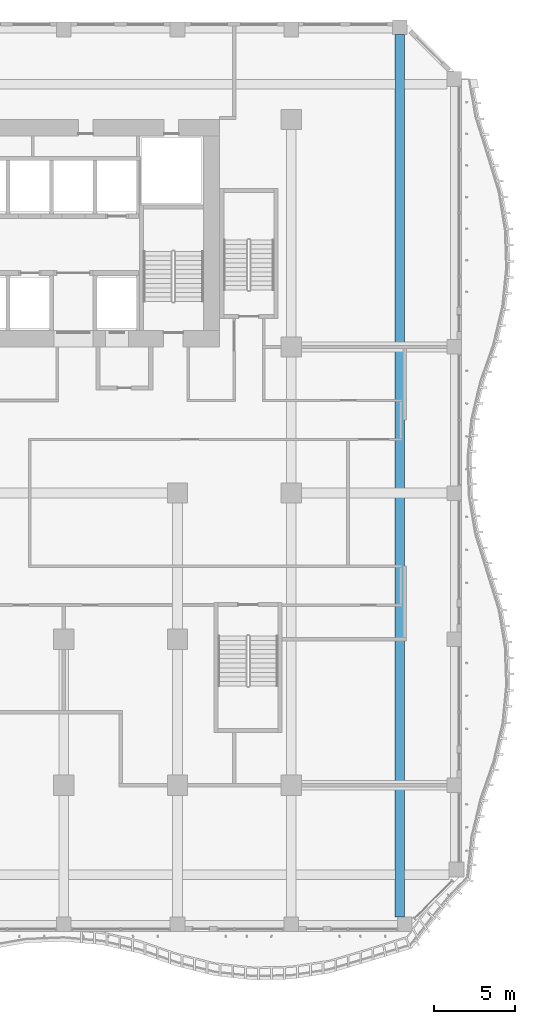
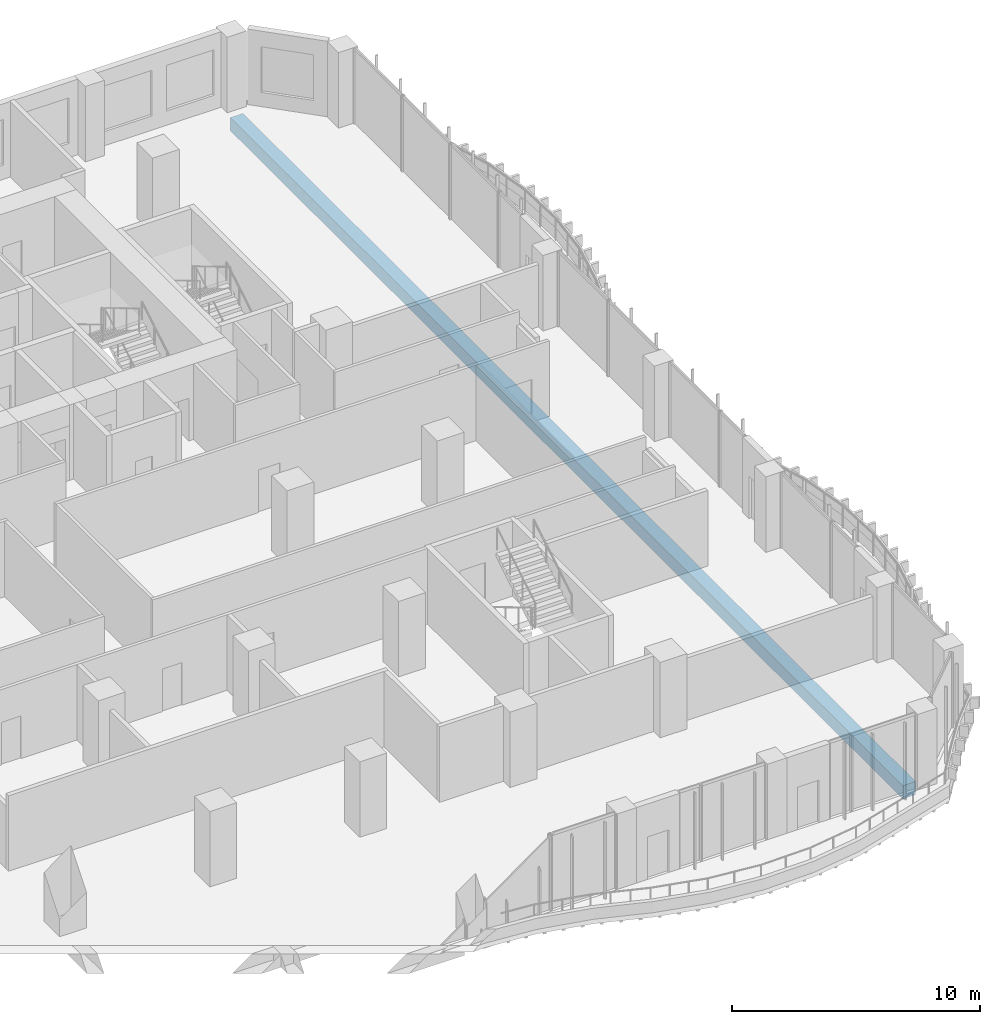
# One storey, part 5 of 25: 1 beam.
"""IFC4 building model written with IfcOpenShell, lengths in metres."""

import ifcopenshell
import ifcopenshell.guid

model = None  # the IFC model being written
_history = None  # IfcOwnerHistory: only IFC2X3 demands one
_inside = {}  # id of a spatial element -> (the spatial element, [elements in it])
_under = {}  # id of a project, library or spatial element -> (it, [spatial elements below it])
_declared = {}  # id of a project -> (the project, [libraries it declares])
_typed = {}  # id of a type object -> (the type object, [elements of that type])
_made_of = {}  # id of a material, layer set ... -> (it, [elements and type objects made of it])


def new_model(schema):
    """Start an empty IFC model of exactly this schema.

    Asked for "IFC4X3", IfcOpenShell would pick the latest addendum, in which some entities
    have other attributes; the version numbers below select the first issue.
    IFC2X3 requires an IfcOwnerHistory on every rooted entity: one is made here for all.
    """
    global model, _history
    if schema == "IFC4X3":
        model = ifcopenshell.file(schema_version=(4, 3, 0, 0))
    else:
        model = ifcopenshell.file(schema=schema)
    _inside.clear()
    _under.clear()
    _declared.clear()
    _typed.clear()
    _made_of.clear()
    _history = None
    if model.schema == "IFC2X3":
        org = make("IfcOrganization", Name="unknown")
        user = make(
            "IfcPersonAndOrganization",
            ThePerson=make("IfcPerson", FamilyName="unknown"),
            TheOrganization=org,
        )
        app = make(
            "IfcApplication",
            ApplicationDeveloper=org,
            Version="unknown",
            ApplicationFullName="unknown",
            ApplicationIdentifier="unknown",
        )
        _history = make(
            "IfcOwnerHistory",
            OwningUser=user,
            OwningApplication=app,
            ChangeAction="ADDED",
            CreationDate=0,
        )
    return model


def make(cls, **values):
    """One entity of the class cls with the attributes given. An attribute that is None is left unset."""
    return model.create_entity(
        cls, **{name: value for name, value in values.items() if value is not None}
    )


def rooted(cls, **values):
    """An entity with a GlobalId (a new one), such as an element, a storey or a relation."""
    return make(cls, GlobalId=ifcopenshell.guid.new(), OwnerHistory=_history, **values)


def si_unit(unit_type, name, prefix=None):
    """IfcSIUnit, for example si_unit("LENGTHUNIT", "METRE", prefix="MILLI")."""
    return make("IfcSIUnit", UnitType=unit_type, Prefix=prefix, Name=name)


def assignment(units):
    """IfcUnitAssignment: the units of a project."""
    return None if units is None else make("IfcUnitAssignment", Units=units)


def point(xyz):
    """IfcCartesianPoint."""
    return None if xyz is None else make("IfcCartesianPoint", Coordinates=xyz)


def direction(xyz):
    """IfcDirection."""
    return None if xyz is None else make("IfcDirection", DirectionRatios=xyz)


def frame(location, z_axis=None, x_axis=None):
    """IfcAxis2Placement3D, a coordinate frame: its origin and axes. An axis left out is left unset."""
    return make(
        "IfcAxis2Placement3D",
        Location=point(location),
        Axis=direction(z_axis),
        RefDirection=direction(x_axis),
    )


def frame_2d(location, x_axis=None):
    """IfcAxis2Placement2D, a coordinate frame in the plane: its origin and x axis."""
    return make(
        "IfcAxis2Placement2D", Location=point(location), RefDirection=direction(x_axis)
    )


def origin():
    """The frame at (0, 0, 0) with its axes left unset."""
    return frame((0.0, 0.0, 0.0))


def origin_2d():
    """The frame at (0, 0) in the plane with its x axis left unset."""
    return frame_2d((0.0, 0.0))


def place(relative_to, where):
    """IfcLocalPlacement: puts the frame where relative to a parent placement (None: the world)."""
    return make(
        "IfcLocalPlacement", PlacementRelTo=relative_to, RelativePlacement=where
    )


def context(
    kind, dimensions, precision=None, world=None, true_north=None, identifier=None
):
    """IfcGeometricRepresentationContext, for example the 3D "Model" context."""
    return make(
        "IfcGeometricRepresentationContext",
        ContextIdentifier=identifier,
        ContextType=kind,
        CoordinateSpaceDimension=dimensions,
        Precision=precision,
        WorldCoordinateSystem=world,
        TrueNorth=true_north,
    )


def subcontext(parent, identifier, kind, view, scale=None):
    """IfcGeometricRepresentationSubContext, for example "Body" below "Model"."""
    return make(
        "IfcGeometricRepresentationSubContext",
        ContextIdentifier=identifier,
        ContextType=kind,
        ParentContext=parent,
        TargetScale=scale,
        TargetView=view,
    )


def project(units=None, contexts=None):
    """IfcProject with its units and contexts."""
    return rooted(
        "IfcProject",
        Name="project",
        RepresentationContexts=contexts,
        UnitsInContext=assignment(units),
    )


def spatial(cls, under=None, at=None, **own):
    """A site, building, storey or space (cls), placed at a placement, below another one or the project."""
    s = rooted(cls, ObjectPlacement=at, **own)
    if under is not None:
        _under.setdefault(under.id(), (under, []))[1].append(s)
    return s


def profile(cls, at=None, kind="AREA", **sizes):
    """A parametric profile (cls). Its sizes go by their IFC names, for example OverallWidth=200.0."""
    return make(cls, ProfileType=kind, Position=at, **sizes)


def rectangle(**sizes):
    """IfcRectangleProfileDef."""
    return profile("IfcRectangleProfileDef", **sizes)


def extrude(swept, where, along, depth):
    """IfcExtrudedAreaSolid: the profile swept, set in the frame where, extruded along a direction by depth."""
    return make(
        "IfcExtrudedAreaSolid",
        SweptArea=swept,
        Position=where,
        ExtrudedDirection=direction(along),
        Depth=depth,
    )


def shape(context_of_items, identifier, shape_type, items):
    """IfcShapeRepresentation: the items that make up one representation, for example the "Body"."""
    return make(
        "IfcShapeRepresentation",
        ContextOfItems=context_of_items,
        RepresentationIdentifier=identifier,
        RepresentationType=shape_type,
        Items=items,
    )


def source(mapping_origin, context_of_items, identifier, shape_type, items):
    """IfcRepresentationMap: a shape defined once, which mapped items show again and again."""
    return make(
        "IfcRepresentationMap",
        MappingOrigin=mapping_origin,
        MappedRepresentation=shape(context_of_items, identifier, shape_type, items),
    )


def transform(
    local_origin,
    x_axis=None,
    y_axis=None,
    z_axis=None,
    scale=None,
    scale2=None,
    scale3=None,
    uniform=True,
):
    """IfcCartesianTransformationOperator3D, or its non-uniform kind. x_axis, y_axis, z_axis: its Axis1, 2, 3."""
    if uniform:
        return make(
            "IfcCartesianTransformationOperator3D",
            Axis1=direction(x_axis),
            Axis2=direction(y_axis),
            LocalOrigin=point(local_origin),
            Scale=scale,
            Axis3=direction(z_axis),
        )
    return make(
        "IfcCartesianTransformationOperator3DnonUniform",
        Axis1=direction(x_axis),
        Axis2=direction(y_axis),
        LocalOrigin=point(local_origin),
        Scale=scale,
        Axis3=direction(z_axis),
        Scale2=scale2,
        Scale3=scale3,
    )


def mapped(mapping_source, mapping_target):
    """IfcMappedItem: shows the shape of a source again, moved by a transform."""
    return make(
        "IfcMappedItem", MappingSource=mapping_source, MappingTarget=mapping_target
    )


def material(Name=None, Category=None):
    """IfcMaterial."""
    return make("IfcMaterial", Name=Name, Category=Category)


def material_profile(
    of_material, cross_section, Name=None, Category=None, Priority=None
):
    """IfcMaterialProfile: a cross section and its material."""
    return make(
        "IfcMaterialProfile",
        Name=Name,
        Material=of_material,
        Profile=cross_section,
        Priority=Priority,
        Category=Category,
    )


def profile_set(profiles, Name=None, composite=None):
    """IfcMaterialProfileSet."""
    return make(
        "IfcMaterialProfileSet",
        Name=Name,
        MaterialProfiles=profiles,
        CompositeProfile=composite,
    )


def made_of(thing, what):
    """Note that an element or type object is made of a material, layer set ...; save() writes the relation."""
    if what is not None:
        _made_of.setdefault(what.id(), (what, []))[1].append(thing)
    return thing


def type_object(cls, material=None, **own):
    """A type object (cls), such as IfcWallType, which elements share."""
    return made_of(rooted(cls, **own), material)


def element(
    cls,
    number,
    at=None,
    inside=None,
    cuts=None,
    type_object=None,
    material=None,
    context=None,
    identifier="Body",
    shape_type=None,
    held_by="IfcProductDefinitionShape",
    body=None,
    shapes=None,
    **own,
):
    """One element of the class cls, such as IfcWall. Its Tag is "e" and its number.

    at: its placement. inside: the storey or other place that contains it. cuts: it is an
    opening in that element (IfcRelVoidsElement). A single representation is given by context,
    identifier, shape_type and body (its items); several are given by shapes. held_by: the class
    of the entity that holds the representations. save() writes the other relations.
    """
    e = rooted(cls, Tag="e%d" % number, ObjectPlacement=at, **own)
    if body is not None:
        shapes = [shape(context, identifier, shape_type, body)]
    if shapes is not None:
        e.Representation = make(held_by, Representations=shapes)
    if inside is not None:
        _inside.setdefault(inside.id(), (inside, []))[1].append(e)
    if cuts is not None:
        rooted(
            "IfcRelVoidsElement", RelatingBuildingElement=cuts, RelatedOpeningElement=e
        )
    if type_object is not None:
        _typed.setdefault(type_object.id(), (type_object, []))[1].append(e)
    return made_of(e, material)


def aggregate(whole, parts):
    """IfcRelAggregates: a whole, such as a stair, and the parts it consists of."""
    return rooted("IfcRelAggregates", RelatingObject=whole, RelatedObjects=parts)


def save(model, path):
    """Write the relations noted so far, then the file.

    IfcRelAggregates (storeys below a building ...), IfcRelContainedInSpatialStructure (elements
    in a storey), IfcRelDefinesByType, IfcRelAssociatesMaterial and IfcRelDeclares: one each for
    every whole, place, type object, material and project.
    """
    for whole, parts in _under.values():
        aggregate(whole, parts)
    for where, things in _inside.values():
        rooted(
            "IfcRelContainedInSpatialStructure",
            RelatedElements=things,
            RelatingStructure=where,
        )
    for kind, things in _typed.values():
        rooted("IfcRelDefinesByType", RelatedObjects=things, RelatingType=kind)
    for what, things in _made_of.values():
        rooted("IfcRelAssociatesMaterial", RelatedObjects=things, RelatingMaterial=what)
    for by, libraries in _declared.values():
        rooted("IfcRelDeclares", RelatingContext=by, RelatedDefinitions=libraries)
    model.write(path)


model = new_model("IFC4")

# Units and contexts
model_context = context("Model", 3, precision=1e-05, world=origin(), true_north=direction((0.0, 1.0)))
body_context = subcontext(model_context, "Body", "Model", "MODEL_VIEW")
ifc_project = project(units=[si_unit("LENGTHUNIT", "METRE"), si_unit("AREAUNIT", "SQUARE_METRE"), si_unit("VOLUMEUNIT", "CUBIC_METRE"), si_unit("PLANEANGLEUNIT", "RADIAN"), si_unit("MASSUNIT", "GRAM", prefix="KILO")], contexts=[model_context])

# Site, building, storey
site_placement = place(None, origin())
site = spatial("IfcSite", under=ifc_project, at=site_placement, CompositionType="ELEMENT")
building_placement = place(site_placement, origin())
building = spatial("IfcBuilding", under=site, at=building_placement, Name="Kilnfold Tower and Market Hall", CompositionType="ELEMENT")
storey_placement = place(building_placement, frame((0.0, 0.0, 67.199951171875)))
storey = spatial("IfcBuildingStorey", under=building, at=storey_placement, Name="L15", CompositionType="ELEMENT", Elevation=67.199951171875)

# Beam
ifc_material = material(Name="Concrete C45", Category="concrete")
ifc_material_profile = material_profile(ifc_material, rectangle(XDim=0.60009765625, YDim=0.64990234375, at=origin_2d()), Name="RC 600x650")
ifc_profile_set = profile_set([ifc_material_profile], Name="Concrete C45")
beam_type = type_object("IfcBeamType", Name="BEAM 600X650 C45", PredefinedType="BEAM", material=ifc_profile_set)
shared_shape = source(origin(), body_context, "Body", "SweptSolid", [
    extrude(rectangle(XDim=0.60009765625, YDim=0.64990234375, at=origin_2d()), origin(), (0.0, 0.0, 1.0), 54.331787109375),
])
beam_placement = place(storey_placement, frame((29.179931640625, -27.10009765625, -0.60498046875), z_axis=(0.0, 1.0, 0.0), x_axis=(-1.0, 0.0, 0.0)))
element("IfcBeam", 1, at=beam_placement, inside=storey, type_object=beam_type, Name="Beam BB650-B2.98", PredefinedType="BEAM", context=body_context, shape_type="MappedRepresentation", body=[
    mapped(shared_shape, transform((0.0, 0.0, 0.0))),
])

save(model, "model.ifc")
